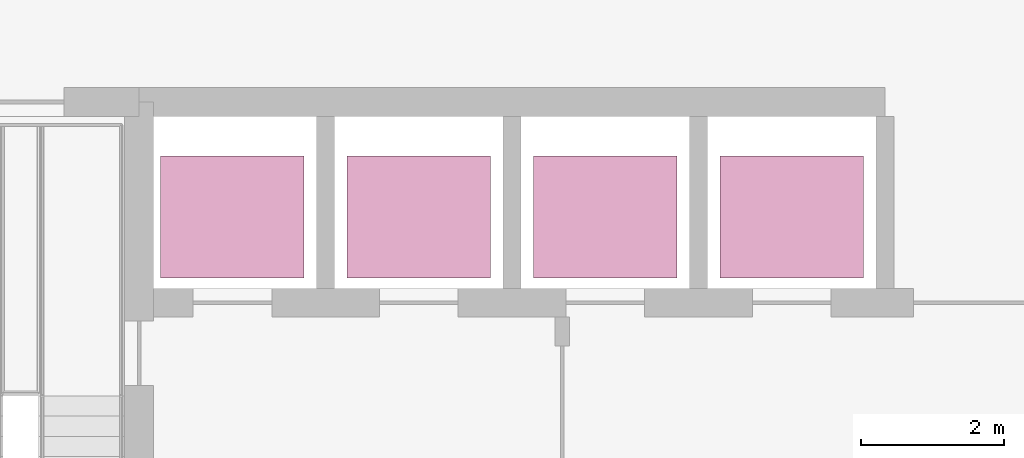
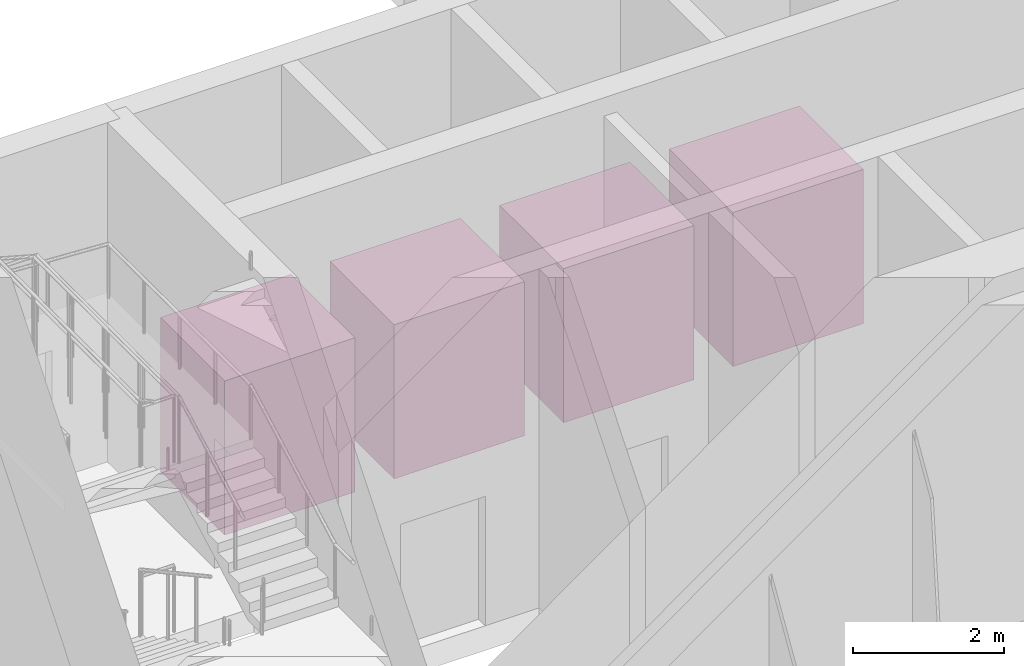
# One storey, part 26 of 26: 4 transport elements.
"""IFC4 building model written with IfcOpenShell, lengths in metres."""

from ifc_helpers import new_model, si_unit, direction, frame, origin, origin_2d, place, context, subcontext, project, spatial, rectangle, extrude, material, type_object, element, save


model = new_model("IFC4")

# Units and contexts
model_context = context("Model", 3, precision=1e-05, world=origin(), true_north=direction((0.0, 1.0)))
body_context = subcontext(model_context, "Body", "Model", "MODEL_VIEW")
ifc_project = project(units=[si_unit("LENGTHUNIT", "METRE"), si_unit("AREAUNIT", "SQUARE_METRE"), si_unit("VOLUMEUNIT", "CUBIC_METRE"), si_unit("PLANEANGLEUNIT", "RADIAN"), si_unit("MASSUNIT", "GRAM", prefix="KILO")], contexts=[model_context])

# Site, building, storey
site_placement = place(None, origin())
site = spatial("IfcSite", under=ifc_project, at=site_placement, CompositionType="ELEMENT")
building_placement = place(site_placement, origin())
building = spatial("IfcBuilding", under=site, at=building_placement, Name="Kemantara Hotel Tower", CompositionType="ELEMENT")
storey_placement = place(building_placement, frame((0.0, 0.0, 101.89990234375)))
storey = spatial("IfcBuildingStorey", under=building, at=storey_placement, Name="L24", CompositionType="ELEMENT", Elevation=101.89990234375)

# Transport elements
ifc_material = material(Name="Stainless steel lift car", Category="steel")
transport_element_type = type_object("IfcTransportElementType", Name="Passenger lift (mid-rise bank) 1800 x 1500 mm", PredefinedType="ELEVATOR", material=ifc_material)
for number, where, z_axis, x_axis, name in (
    (1, (15.39990234375, 8.0, 0.0), (0.0, 0.0, 1.0), (1.0, 0.0, 0.0), "Lift MR1 car"),
    (2, (18.0, 8.0, 0.0), (0.0, 0.0, 1.0), (1.0, 0.0, 0.0), "Lift MR2 car"),
    (3, (20.60009765625, 8.0, 0.0), (0.0, 0.0, 1.0), (1.0, 0.0, 0.0), "Lift MR3 car"),
    (4, (23.199951171875, 8.0, 0.0), (0.0, 0.0, 1.0), (1.0, 0.0, 0.0), "Lift MR4 car"),
):
    element("IfcTransportElement", number, at=place(storey_placement, frame(where, z_axis=z_axis, x_axis=x_axis)), inside=storey, type_object=transport_element_type, Name=name, PredefinedType="ELEVATOR", context=body_context, shape_type="SweptSolid", body=[
        extrude(rectangle(XDim=2.0, YDim=1.699951171875, at=origin_2d()), origin(), (0.0, 0.0, 1.0), 2.5),
    ])

save(model, "model.ifc")
